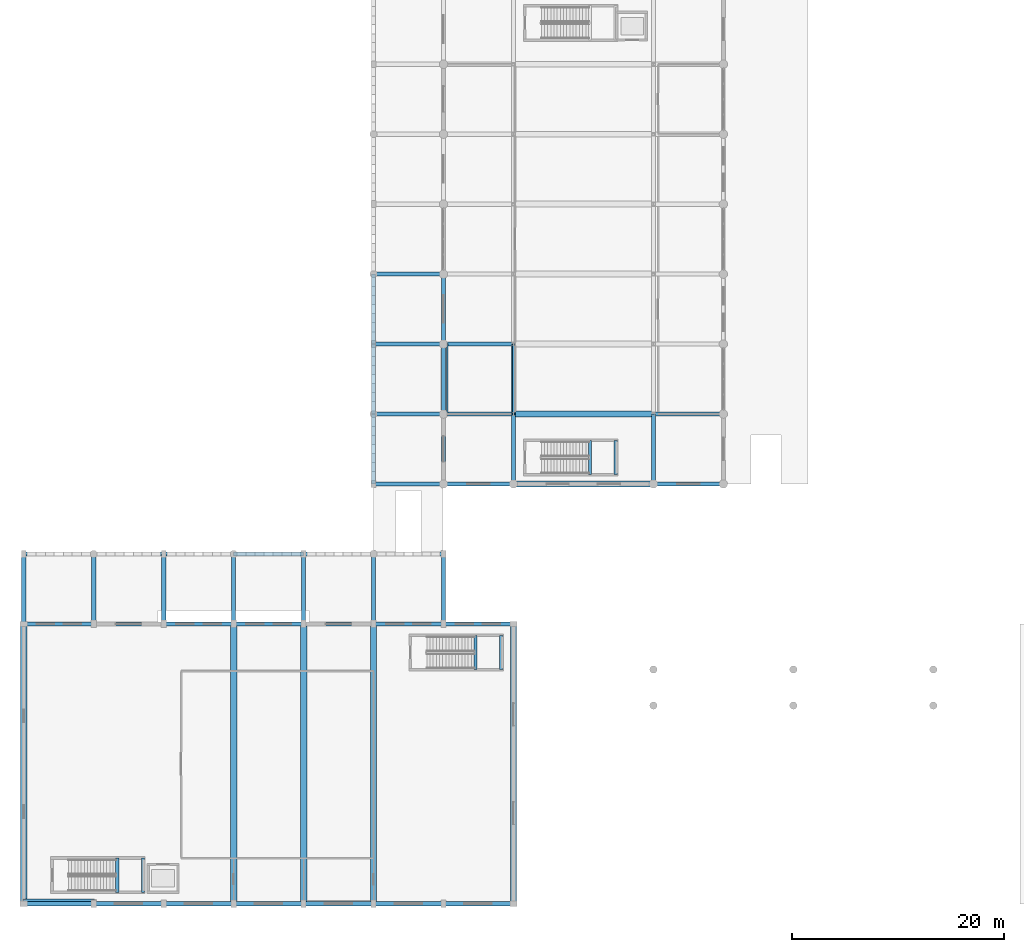
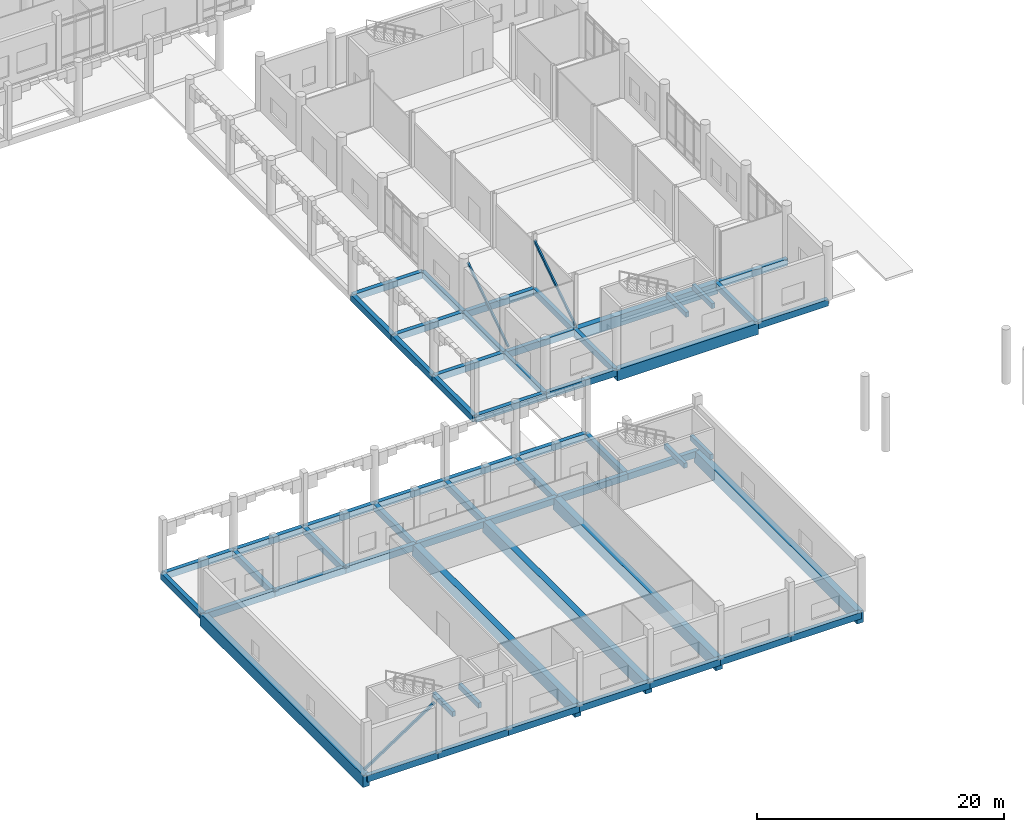
# One storey, part 7 of 72: 58 beams, 3 members.
"""IFC4 building model written with IfcOpenShell, lengths in metres."""

from ifc_helpers import new_model, si_unit, direction, frame, origin, origin_2d, place, context, subcontext, project, spatial, rectangle, hollow_rectangle, extrude, material, material_profile, profile_set, type_object, element, save


model = new_model("IFC4")

# Units and contexts
model_context = context("Model", 3, precision=1e-05, world=origin(), true_north=direction((0.0, 1.0)))
body_context = subcontext(model_context, "Body", "Model", "MODEL_VIEW")
ifc_project = project(units=[si_unit("LENGTHUNIT", "METRE"), si_unit("AREAUNIT", "SQUARE_METRE"), si_unit("VOLUMEUNIT", "CUBIC_METRE"), si_unit("PLANEANGLEUNIT", "RADIAN"), si_unit("MASSUNIT", "GRAM", prefix="KILO")], contexts=[model_context])

# Site, building, storey
site_placement = place(None, origin())
site = spatial("IfcSite", under=ifc_project, at=site_placement, CompositionType="ELEMENT")
building_placement = place(site_placement, origin())
building = spatial("IfcBuilding", under=site, at=building_placement, Name="Dornvale Research Institute", CompositionType="ELEMENT")
storey_placement = place(building_placement, origin())
storey = spatial("IfcBuildingStorey", under=building, at=storey_placement, Name="L00", CompositionType="ELEMENT", Elevation=0.0)

# Beams
ifc_material_1 = material(Name="Concrete f'c 45 MPa (C35/45)", Category="concrete")
ifc_material_profile_1 = material_profile(ifc_material_1, rectangle(XDim=0.300048828125, YDim=0.5, at=origin_2d()), Name="RC 300x500")
ifc_profile_set_1 = profile_set([ifc_material_profile_1], Name="Concrete f'c 45 MPa (C35/45)")
beam_type_1 = type_object("IfcBeamType", Name="Beam_RC300x500_Trim", PredefinedType="BEAM", material=ifc_profile_set_1)
for number, where, z_axis, x_axis, name in (
    (1, (55.85009765625, 40.47998046875, 2.25), (0.0, 1.0, 0.0), (-1.0, 0.0, 0.0), "L00 ST-7 half-landing support beam #98"),
    (2, (53.419921875, 40.47998046875, 2.25), (0.0, 1.0, 0.0), (-1.0, 0.0, 0.0), "L00 ST-7 base half-landing trimmer #99"),
    (3, (11.25, 1.080078125, 2.25), (0.0, 1.0, 0.0), (-1.0, 0.0, 0.0), "L00 ST-9 half-landing support beam #111"),
    (4, (8.820068359375, 1.080078125, 2.25), (0.0, 1.0, 0.0), (-1.0, 0.0, 0.0), "L00 ST-9 base half-landing trimmer #112"),
    (5, (45.050048828125, 22.080078125, 2.25), (0.0, 1.0, 0.0), (-1.0, 0.0, 0.0), "L00 ST-10 half-landing support beam #116"),
    (6, (42.6201171875, 22.080078125, 2.25), (0.0, 1.0, 0.0), (-1.0, 0.0, 0.0), "L00 ST-10 base half-landing trimmer #117"),
):
    element("IfcBeam", number, at=place(storey_placement, frame(where, z_axis=z_axis, x_axis=x_axis)), inside=storey, type_object=beam_type_1, Name=name, PredefinedType="BEAM", context=body_context, shape_type="SweptSolid", body=[
        extrude(rectangle(XDim=0.300048828125, YDim=0.5, at=origin_2d()), origin(), (0.0, 0.0, 1.0), 3.239990234375),
    ])
ifc_material_2 = material(Name="Concrete f'c 45 MPa (C35/45)", Category="concrete")
ifc_material_profile_2 = material_profile(ifc_material_2, rectangle(XDim=0.35009765625, YDim=0.60009765625, at=origin_2d()), Name="RC 350x600")
ifc_profile_set_2 = profile_set([ifc_material_profile_2], Name="Concrete f'c 45 MPa (C35/45)")
beam_type_2 = type_object("IfcBeamType", Name="Beam_RC350x600_Floor", PredefinedType="BEAM", material=ifc_profile_set_2)
beam_1_placement = place(storey_placement, frame((39.60009765625, 39.60009765625, -0.300048828125), z_axis=(0.0, 1.0, 0.0), x_axis=(-1.0, 0.0, 0.0)))
element("IfcBeam", 7, at=beam_1_placement, inside=storey, type_object=beam_type_2, Name="L00 transverse girder #240", PredefinedType="BEAM", context=body_context, shape_type="SweptSolid", body=[
    extrude(rectangle(XDim=0.35009765625, YDim=0.60009765625, at=origin_2d()), origin(), (0.0, 0.0, 1.0), 6.599853515625),
])
beam_2_placement = place(storey_placement, frame((39.60009765625, 46.199951171875, -0.300048828125), z_axis=(0.0, 1.0, 0.0), x_axis=(-1.0, 0.0, 0.0)))
element("IfcBeam", 8, at=beam_2_placement, inside=storey, type_object=beam_type_2, Name="L00 transverse girder #241", PredefinedType="BEAM", context=body_context, shape_type="SweptSolid", body=[
    extrude(rectangle(XDim=0.35009765625, YDim=0.60009765625, at=origin_2d()), origin(), (0.0, 0.0, 1.0), 6.60009765625),
])
for number, where, z_axis, x_axis, name in (
    (9, (39.60009765625, 52.800048828125, -0.300048828125), (0.0, 1.0, 0.0), (-1.0, 0.0, 0.0), "L00 transverse girder #242"),
    (10, (46.199951171875, 39.60009765625, -0.300048828125), (0.0, 1.0, 0.0), (-1.0, 0.0, 0.0), "L00 transverse girder #247"),
):
    element("IfcBeam", number, at=place(storey_placement, frame(where, z_axis=z_axis, x_axis=x_axis)), inside=storey, type_object=beam_type_2, Name=name, PredefinedType="BEAM", context=body_context, shape_type="SweptSolid", body=[
        extrude(rectangle(XDim=0.35009765625, YDim=0.60009765625, at=origin_2d()), origin(), (0.0, 0.0, 1.0), 6.599853515625),
    ])
beam_3_placement = place(storey_placement, frame((46.199951171875, 46.199951171875, -0.300048828125), z_axis=(0.0, 1.0, 0.0), x_axis=(-1.0, 0.0, 0.0)))
element("IfcBeam", 11, at=beam_3_placement, inside=storey, type_object=beam_type_2, Name="L00 transverse girder #248", PredefinedType="BEAM", context=body_context, shape_type="SweptSolid", body=[
    extrude(rectangle(XDim=0.35009765625, YDim=0.60009765625, at=origin_2d()), origin(), (0.0, 0.0, 1.0), 6.60009765625),
])
beam_4_placement = place(storey_placement, frame((59.39990234375, 39.60009765625, -0.300048828125), z_axis=(0.0, 1.0, 0.0), x_axis=(-1.0, 0.0, 0.0)))
element("IfcBeam", 12, at=beam_4_placement, inside=storey, type_object=beam_type_2, Name="L00 transverse girder #254", PredefinedType="BEAM", context=body_context, shape_type="SweptSolid", body=[
    extrude(rectangle(XDim=0.35009765625, YDim=0.60009765625, at=origin_2d()), origin(), (0.0, 0.0, 1.0), 6.599853515625),
])
ifc_material_3 = material(Name="Concrete f'c 45 MPa (C35/45)", Category="concrete")
ifc_material_profile_3 = material_profile(ifc_material_3, rectangle(XDim=0.39990234375, YDim=0.64990234375, at=origin_2d()), Name="RC 400x650")
ifc_profile_set_3 = profile_set([ifc_material_profile_3], Name="Concrete f'c 45 MPa (C35/45)")
beam_type_3 = type_object("IfcBeamType", Name="Beam_RC400x650_Floor", PredefinedType="BEAM", material=ifc_profile_set_3)
beam_5_placement = place(storey_placement, frame((39.60009765625, 39.60009765625, -0.324951171875), z_axis=(1.0, 0.0, 0.0), x_axis=(0.0, 1.0, 0.0)))
element("IfcBeam", 13, at=beam_5_placement, inside=storey, type_object=beam_type_3, Name="L00 primary girder #216", PredefinedType="BEAM", context=body_context, shape_type="SweptSolid", body=[
    extrude(rectangle(XDim=0.39990234375, YDim=0.64990234375, at=origin_2d()), origin(), (0.0, 0.0, 1.0), 6.599853515625),
])
beam_6_placement = place(storey_placement, frame((59.39990234375, 39.60009765625, -0.324951171875), z_axis=(1.0, 0.0, 0.0), x_axis=(0.0, 1.0, 0.0)))
element("IfcBeam", 14, at=beam_6_placement, inside=storey, type_object=beam_type_3, Name="L00 primary girder #218", PredefinedType="BEAM", context=body_context, shape_type="SweptSolid", body=[
    extrude(rectangle(XDim=0.39990234375, YDim=0.64990234375, at=origin_2d()), origin(), (0.0, 0.0, 1.0), 6.60009765625),
])
beam_7_placement = place(storey_placement, frame((39.60009765625, 46.199951171875, -0.324951171875), z_axis=(1.0, 0.0, 0.0), x_axis=(0.0, 1.0, 0.0)))
element("IfcBeam", 15, at=beam_7_placement, inside=storey, type_object=beam_type_3, Name="L00 primary girder #219", PredefinedType="BEAM", context=body_context, shape_type="SweptSolid", body=[
    extrude(rectangle(XDim=0.39990234375, YDim=0.64990234375, at=origin_2d()), origin(), (0.0, 0.0, 1.0), 6.599853515625),
])
beam_8_placement = place(storey_placement, frame((59.39990234375, 46.199951171875, -0.324951171875), z_axis=(1.0, 0.0, 0.0), x_axis=(0.0, 1.0, 0.0)))
element("IfcBeam", 16, at=beam_8_placement, inside=storey, type_object=beam_type_3, Name="L00 primary girder #221", PredefinedType="BEAM", context=body_context, shape_type="SweptSolid", body=[
    extrude(rectangle(XDim=0.39990234375, YDim=0.64990234375, at=origin_2d()), origin(), (0.0, 0.0, 1.0), 6.60009765625),
])
beam_9_placement = place(storey_placement, frame((39.60009765625, 52.800048828125, -0.324951171875), z_axis=(1.0, 0.0, 0.0), x_axis=(0.0, 1.0, 0.0)))
element("IfcBeam", 17, at=beam_9_placement, inside=storey, type_object=beam_type_3, Name="L00 primary girder #222", PredefinedType="BEAM", context=body_context, shape_type="SweptSolid", body=[
    extrude(rectangle(XDim=0.39990234375, YDim=0.64990234375, at=origin_2d()), origin(), (0.0, 0.0, 1.0), 6.599853515625),
])
beam_10_placement = place(storey_placement, frame((0.0, 0.0, -0.324951171875), z_axis=(1.0, 0.0, 0.0), x_axis=(0.0, 1.0, 0.0)))
element("IfcBeam", 18, at=beam_10_placement, inside=storey, type_object=beam_type_3, Name="L00 primary girder #268", PredefinedType="BEAM", context=body_context, shape_type="SweptSolid", body=[
    extrude(rectangle(XDim=0.39990234375, YDim=0.64990234375, at=origin_2d()), origin(), (0.0, 0.0, 1.0), 6.60009765625),
])
beam_11_placement = place(storey_placement, frame((6.60009765625, 0.0, -0.324951171875), z_axis=(1.0, 0.0, 0.0), x_axis=(0.0, 1.0, 0.0)))
element("IfcBeam", 19, at=beam_11_placement, inside=storey, type_object=beam_type_3, Name="L00 primary girder #269", PredefinedType="BEAM", context=body_context, shape_type="SweptSolid", body=[
    extrude(rectangle(XDim=0.39990234375, YDim=0.64990234375, at=origin_2d()), origin(), (0.0, 0.0, 1.0), 6.599853515625),
])
beam_12_placement = place(storey_placement, frame((13.199951171875, 0.0, -0.324951171875), z_axis=(1.0, 0.0, 0.0), x_axis=(0.0, 1.0, 0.0)))
element("IfcBeam", 20, at=beam_12_placement, inside=storey, type_object=beam_type_3, Name="L00 primary girder #270", PredefinedType="BEAM", context=body_context, shape_type="SweptSolid", body=[
    extrude(rectangle(XDim=0.39990234375, YDim=0.64990234375, at=origin_2d()), origin(), (0.0, 0.0, 1.0), 6.60009765625),
])
beam_13_placement = place(storey_placement, frame((19.800048828125, 0.0, -0.324951171875), z_axis=(1.0, 0.0, 0.0), x_axis=(0.0, 1.0, 0.0)))
element("IfcBeam", 21, at=beam_13_placement, inside=storey, type_object=beam_type_3, Name="L00 primary girder #271", PredefinedType="BEAM", context=body_context, shape_type="SweptSolid", body=[
    extrude(rectangle(XDim=0.39990234375, YDim=0.64990234375, at=origin_2d()), origin(), (0.0, 0.0, 1.0), 6.599853515625),
])
for number, where, z_axis, x_axis, name in (
    (22, (26.39990234375, 0.0, -0.324951171875), (1.0, 0.0, 0.0), (0.0, 1.0, 0.0), "L00 primary girder #272"),
    (23, (33.0, 0.0, -0.324951171875), (1.0, 0.0, 0.0), (0.0, 1.0, 0.0), "L00 primary girder #273"),
):
    element("IfcBeam", number, at=place(storey_placement, frame(where, z_axis=z_axis, x_axis=x_axis)), inside=storey, type_object=beam_type_3, Name=name, PredefinedType="BEAM", context=body_context, shape_type="SweptSolid", body=[
        extrude(rectangle(XDim=0.39990234375, YDim=0.64990234375, at=origin_2d()), origin(), (0.0, 0.0, 1.0), 6.60009765625),
    ])
beam_14_placement = place(storey_placement, frame((39.60009765625, 0.0, -0.324951171875), z_axis=(1.0, 0.0, 0.0), x_axis=(0.0, 1.0, 0.0)))
element("IfcBeam", 24, at=beam_14_placement, inside=storey, type_object=beam_type_3, Name="L00 primary girder #274", PredefinedType="BEAM", context=body_context, shape_type="SweptSolid", body=[
    extrude(rectangle(XDim=0.39990234375, YDim=0.64990234375, at=origin_2d()), origin(), (0.0, 0.0, 1.0), 6.599853515625),
])
beam_15_placement = place(storey_placement, frame((0.0, 26.39990234375, -0.324951171875), z_axis=(1.0, 0.0, 0.0), x_axis=(0.0, 1.0, 0.0)))
element("IfcBeam", 25, at=beam_15_placement, inside=storey, type_object=beam_type_3, Name="L00 primary girder #275", PredefinedType="BEAM", context=body_context, shape_type="SweptSolid", body=[
    extrude(rectangle(XDim=0.39990234375, YDim=0.64990234375, at=origin_2d()), origin(), (0.0, 0.0, 1.0), 6.60009765625),
])
beam_16_placement = place(storey_placement, frame((6.60009765625, 26.39990234375, -0.324951171875), z_axis=(1.0, 0.0, 0.0), x_axis=(0.0, 1.0, 0.0)))
element("IfcBeam", 26, at=beam_16_placement, inside=storey, type_object=beam_type_3, Name="L00 primary girder #276", PredefinedType="BEAM", context=body_context, shape_type="SweptSolid", body=[
    extrude(rectangle(XDim=0.39990234375, YDim=0.64990234375, at=origin_2d()), origin(), (0.0, 0.0, 1.0), 6.599853515625),
])
beam_17_placement = place(storey_placement, frame((13.199951171875, 26.39990234375, -0.324951171875), z_axis=(1.0, 0.0, 0.0), x_axis=(0.0, 1.0, 0.0)))
element("IfcBeam", 27, at=beam_17_placement, inside=storey, type_object=beam_type_3, Name="L00 primary girder #277", PredefinedType="BEAM", context=body_context, shape_type="SweptSolid", body=[
    extrude(rectangle(XDim=0.39990234375, YDim=0.64990234375, at=origin_2d()), origin(), (0.0, 0.0, 1.0), 6.60009765625),
])
beam_18_placement = place(storey_placement, frame((19.800048828125, 26.39990234375, -0.324951171875), z_axis=(1.0, 0.0, 0.0), x_axis=(0.0, 1.0, 0.0)))
element("IfcBeam", 28, at=beam_18_placement, inside=storey, type_object=beam_type_3, Name="L00 primary girder #278", PredefinedType="BEAM", context=body_context, shape_type="SweptSolid", body=[
    extrude(rectangle(XDim=0.39990234375, YDim=0.64990234375, at=origin_2d()), origin(), (0.0, 0.0, 1.0), 6.599853515625),
])
for number, where, z_axis, x_axis, name in (
    (29, (26.39990234375, 26.39990234375, -0.324951171875), (1.0, 0.0, 0.0), (0.0, 1.0, 0.0), "L00 primary girder #279"),
    (30, (33.0, 26.39990234375, -0.324951171875), (1.0, 0.0, 0.0), (0.0, 1.0, 0.0), "L00 primary girder #280"),
):
    element("IfcBeam", number, at=place(storey_placement, frame(where, z_axis=z_axis, x_axis=x_axis)), inside=storey, type_object=beam_type_3, Name=name, PredefinedType="BEAM", context=body_context, shape_type="SweptSolid", body=[
        extrude(rectangle(XDim=0.39990234375, YDim=0.64990234375, at=origin_2d()), origin(), (0.0, 0.0, 1.0), 6.60009765625),
    ])
beam_19_placement = place(storey_placement, frame((39.60009765625, 26.39990234375, -0.324951171875), z_axis=(1.0, 0.0, 0.0), x_axis=(0.0, 1.0, 0.0)))
element("IfcBeam", 31, at=beam_19_placement, inside=storey, type_object=beam_type_3, Name="L00 primary girder #281", PredefinedType="BEAM", context=body_context, shape_type="SweptSolid", body=[
    extrude(rectangle(XDim=0.39990234375, YDim=0.64990234375, at=origin_2d()), origin(), (0.0, 0.0, 1.0), 6.599853515625),
])
beam_20_placement = place(storey_placement, frame((0.0, 33.0, -0.324951171875), z_axis=(1.0, 0.0, 0.0), x_axis=(0.0, 1.0, 0.0)))
element("IfcBeam", 32, at=beam_20_placement, inside=storey, type_object=beam_type_3, Name="L00 arcade grade beam #1814", PredefinedType="BEAM", context=body_context, shape_type="SweptSolid", body=[
    extrude(rectangle(XDim=0.39990234375, YDim=0.64990234375, at=origin_2d()), origin(), (0.0, 0.0, 1.0), 6.60009765625),
])
beam_21_placement = place(storey_placement, frame((6.60009765625, 33.0, -0.324951171875), z_axis=(1.0, 0.0, 0.0), x_axis=(0.0, 1.0, 0.0)))
element("IfcBeam", 33, at=beam_21_placement, inside=storey, type_object=beam_type_3, Name="L00 arcade grade beam #1816", PredefinedType="BEAM", context=body_context, shape_type="SweptSolid", body=[
    extrude(rectangle(XDim=0.39990234375, YDim=0.64990234375, at=origin_2d()), origin(), (0.0, 0.0, 1.0), 6.599853515625),
])
beam_22_placement = place(storey_placement, frame((13.199951171875, 33.0, -0.324951171875), z_axis=(1.0, 0.0, 0.0), x_axis=(0.0, 1.0, 0.0)))
element("IfcBeam", 34, at=beam_22_placement, inside=storey, type_object=beam_type_3, Name="L00 arcade grade beam #1818", PredefinedType="BEAM", context=body_context, shape_type="SweptSolid", body=[
    extrude(rectangle(XDim=0.39990234375, YDim=0.64990234375, at=origin_2d()), origin(), (0.0, 0.0, 1.0), 6.60009765625),
])
beam_23_placement = place(storey_placement, frame((19.800048828125, 33.0, -0.324951171875), z_axis=(1.0, 0.0, 0.0), x_axis=(0.0, 1.0, 0.0)))
element("IfcBeam", 35, at=beam_23_placement, inside=storey, type_object=beam_type_3, Name="L00 arcade grade beam #1820", PredefinedType="BEAM", context=body_context, shape_type="SweptSolid", body=[
    extrude(rectangle(XDim=0.39990234375, YDim=0.64990234375, at=origin_2d()), origin(), (0.0, 0.0, 1.0), 6.599853515625),
])
for number, where, z_axis, x_axis, name in (
    (36, (26.39990234375, 33.0, -0.324951171875), (1.0, 0.0, 0.0), (0.0, 1.0, 0.0), "L00 arcade grade beam #1822"),
    (37, (33.0, 33.0, -0.324951171875), (1.0, 0.0, 0.0), (0.0, 1.0, 0.0), "L00 arcade grade beam #1824"),
    (38, (0.0, 26.39990234375, -0.324951171875), (0.0, 1.0, 0.0), (-1.0, 0.0, 0.0), "L00 arcade tie beam #1826"),
    (39, (6.60009765625, 26.39990234375, -0.324951171875), (0.0, 1.0, 0.0), (-1.0, 0.0, 0.0), "L00 arcade tie beam #1828"),
    (40, (13.199951171875, 26.39990234375, -0.324951171875), (0.0, 1.0, 0.0), (-1.0, 0.0, 0.0), "L00 arcade tie beam #1830"),
    (41, (19.800048828125, 26.39990234375, -0.324951171875), (0.0, 1.0, 0.0), (-1.0, 0.0, 0.0), "L00 arcade tie beam #1832"),
    (42, (26.39990234375, 26.39990234375, -0.324951171875), (0.0, 1.0, 0.0), (-1.0, 0.0, 0.0), "L00 arcade tie beam #1834"),
    (43, (33.0, 26.39990234375, -0.324951171875), (0.0, 1.0, 0.0), (-1.0, 0.0, 0.0), "L00 arcade tie beam #1836"),
    (44, (39.60009765625, 26.39990234375, -0.324951171875), (0.0, 1.0, 0.0), (-1.0, 0.0, 0.0), "L00 arcade tie beam #1838"),
):
    element("IfcBeam", number, at=place(storey_placement, frame(where, z_axis=z_axis, x_axis=x_axis)), inside=storey, type_object=beam_type_3, Name=name, PredefinedType="BEAM", context=body_context, shape_type="SweptSolid", body=[
        extrude(rectangle(XDim=0.39990234375, YDim=0.64990234375, at=origin_2d()), origin(), (0.0, 0.0, 1.0), 6.60009765625),
    ])
beam_24_placement = place(storey_placement, frame((33.0, 39.60009765625, -0.324951171875), z_axis=(0.0, 1.0, 0.0), x_axis=(-1.0, 0.0, 0.0)))
element("IfcBeam", 45, at=beam_24_placement, inside=storey, type_object=beam_type_3, Name="L00 arcade grade beam #1866", PredefinedType="BEAM", context=body_context, shape_type="SweptSolid", body=[
    extrude(rectangle(XDim=0.39990234375, YDim=0.64990234375, at=origin_2d()), origin(), (0.0, 0.0, 1.0), 6.599853515625),
])
beam_25_placement = place(storey_placement, frame((33.0, 46.199951171875, -0.324951171875), z_axis=(0.0, 1.0, 0.0), x_axis=(-1.0, 0.0, 0.0)))
element("IfcBeam", 46, at=beam_25_placement, inside=storey, type_object=beam_type_3, Name="L00 arcade grade beam #1868", PredefinedType="BEAM", context=body_context, shape_type="SweptSolid", body=[
    extrude(rectangle(XDim=0.39990234375, YDim=0.64990234375, at=origin_2d()), origin(), (0.0, 0.0, 1.0), 6.60009765625),
])
beam_26_placement = place(storey_placement, frame((33.0, 52.800048828125, -0.324951171875), z_axis=(0.0, 1.0, 0.0), x_axis=(-1.0, 0.0, 0.0)))
element("IfcBeam", 47, at=beam_26_placement, inside=storey, type_object=beam_type_3, Name="L00 arcade grade beam #1870", PredefinedType="BEAM", context=body_context, shape_type="SweptSolid", body=[
    extrude(rectangle(XDim=0.39990234375, YDim=0.64990234375, at=origin_2d()), origin(), (0.0, 0.0, 1.0), 6.599853515625),
])
for number, where, z_axis, x_axis, name in (
    (48, (33.0, 39.60009765625, -0.324951171875), (1.0, 0.0, 0.0), (0.0, 1.0, 0.0), "L00 arcade tie beam #1880"),
    (49, (33.0, 46.199951171875, -0.324951171875), (1.0, 0.0, 0.0), (0.0, 1.0, 0.0), "L00 arcade tie beam #1882"),
    (50, (33.0, 52.800048828125, -0.324951171875), (1.0, 0.0, 0.0), (0.0, 1.0, 0.0), "L00 arcade tie beam #1884"),
    (51, (33.0, 59.39990234375, -0.324951171875), (1.0, 0.0, 0.0), (0.0, 1.0, 0.0), "L00 arcade tie beam #1886"),
):
    element("IfcBeam", number, at=place(storey_placement, frame(where, z_axis=z_axis, x_axis=x_axis)), inside=storey, type_object=beam_type_3, Name=name, PredefinedType="BEAM", context=body_context, shape_type="SweptSolid", body=[
        extrude(rectangle(XDim=0.39990234375, YDim=0.64990234375, at=origin_2d()), origin(), (0.0, 0.0, 1.0), 6.60009765625),
    ])
ifc_material_4 = material(Name="Concrete f'c 45 MPa (C35/45)", Category="concrete")
ifc_material_profile_4 = material_profile(ifc_material_4, rectangle(XDim=0.550048828125, YDim=1.10009765625, at=origin_2d()), Name="RC 550x1100")
ifc_profile_set_4 = profile_set([ifc_material_profile_4], Name="Concrete f'c 45 MPa (C35/45)")
beam_type_4 = type_object("IfcBeamType", Name="Beam_RC550x1100_Girder", PredefinedType="BEAM", material=ifc_profile_set_4)
for number, where, z_axis, x_axis, name in (
    (52, (46.199951171875, 39.60009765625, -0.550048828125), (1.0, 0.0, 0.0), (0.0, 1.0, 0.0), "L00 primary girder #217"),
    (53, (46.199951171875, 46.199951171875, -0.550048828125), (1.0, 0.0, 0.0), (0.0, 1.0, 0.0), "L00 primary girder #220"),
):
    element("IfcBeam", number, at=place(storey_placement, frame(where, z_axis=z_axis, x_axis=x_axis)), inside=storey, type_object=beam_type_4, Name=name, PredefinedType="BEAM", context=body_context, shape_type="SweptSolid", body=[
        extrude(rectangle(XDim=0.550048828125, YDim=1.10009765625, at=origin_2d()), origin(), (0.0, 0.0, 1.0), 13.199951171875),
    ])

# Members
ifc_material_5 = material(Name="Steel ASTM A500 Grade C", Category="steel")
ifc_material_profile_5 = material_profile(ifc_material_5, hollow_rectangle(XDim=0.202880859375, YDim=0.202880859375, WallThickness=0.0087890625, at=origin_2d()), Name="HSS203X203X9.5")
ifc_profile_set_5 = profile_set([ifc_material_profile_5], Name="Steel ASTM A500 Grade C")
member_type_1 = type_object("IfcMemberType", Name="Brace_HSS203X203_Int", PredefinedType="BRACE", material=ifc_profile_set_5)
member_placement = place(storey_placement, frame((0.0, 0.340087890625, 0.300048828125), z_axis=(0.834970460911, 0.0, 0.550294765926), x_axis=(0.0, 1.0, 0.0)))
element("IfcMember", 54, at=member_placement, inside=storey, type_object=member_type_1, Name="L00 seismic diagonal brace #60", PredefinedType="BRACE", context=body_context, shape_type="SweptSolid", body=[
    extrude(hollow_rectangle(XDim=0.202880859375, YDim=0.202880859375, WallThickness=0.0087890625, at=origin_2d()), origin(), (0.0, 0.0, 1.0), 7.904541015625),
])
ifc_material_6 = material(Name="Steel ASTM A500 Grade C", Category="steel")
ifc_material_profile_6 = material_profile(ifc_material_6, hollow_rectangle(XDim=0.152099609375, YDim=0.25390625, WallThickness=0.0087890625, at=origin_2d()), Name="HSS254X152X9.5")
ifc_profile_set_6 = profile_set([ifc_material_profile_6], Name="Steel ASTM A500 Grade C")
member_type_2 = type_object("IfcMemberType", Name="Brace_HSS254X152_Lateral", PredefinedType="BRACE", material=ifc_profile_set_6)
for number, where, z_axis, x_axis, name in (
    (55, (39.9599609375, 46.199951171875, 0.300048828125), (0.0, 0.834970460911, 0.550294765926), (-1.0, 0.0, 0.0), "L00 seismic diagonal brace #55"),
    (56, (46.199951171875, 46.199951171875, 0.300048828125), (0.0, 0.834970460911, 0.550294765926), (-1.0, 0.0, 0.0), "L00 seismic diagonal brace #59"),
):
    element("IfcMember", number, at=place(storey_placement, frame(where, z_axis=z_axis, x_axis=x_axis)), inside=storey, type_object=member_type_2, Name=name, PredefinedType="BRACE", context=body_context, shape_type="SweptSolid", body=[
        extrude(hollow_rectangle(XDim=0.152099609375, YDim=0.25390625, WallThickness=0.0087890625, at=origin_2d()), origin(), (0.0, 0.0, 1.0), 7.904541015625),
    ])

# Beams
ifc_material_7 = material(Name="Concrete f'c 50 MPa (C40/50)", Category="concrete")
ifc_material_profile_7 = material_profile(ifc_material_7, rectangle(XDim=0.60009765625, YDim=1.199951171875, at=origin_2d()), Name="RC 600x1200")
ifc_profile_set_7 = profile_set([ifc_material_profile_7], Name="Concrete f'c 50 MPa (C40/50)")
beam_type_5 = type_object("IfcBeamType", Name="TBeam_RC600x1200_Tie", PredefinedType="T_BEAM", material=ifc_profile_set_7)
for number, where, z_axis, x_axis, name in (
    (57, (0.0, 0.0, -0.60009765625), (0.0, 1.0, 0.0), (-1.0, 0.0, 0.0), "L00 transverse girder #282"),
    (58, (19.800048828125, 0.0, -0.60009765625), (0.0, 1.0, 0.0), (-1.0, 0.0, 0.0), "L00 transverse girder #283"),
    (59, (26.39990234375, 0.0, -0.60009765625), (0.0, 1.0, 0.0), (-1.0, 0.0, 0.0), "L00 transverse girder #284"),
    (60, (33.0, 0.0, -0.60009765625), (0.0, 1.0, 0.0), (-1.0, 0.0, 0.0), "L00 transverse girder #285"),
    (61, (46.199951171875, 0.0, -0.60009765625), (0.0, 1.0, 0.0), (-1.0, 0.0, 0.0), "L00 transverse girder #286"),
):
    element("IfcBeam", number, at=place(storey_placement, frame(where, z_axis=z_axis, x_axis=x_axis)), inside=storey, type_object=beam_type_5, Name=name, PredefinedType="T_BEAM", context=body_context, shape_type="SweptSolid", body=[
        extrude(rectangle(XDim=0.60009765625, YDim=1.199951171875, at=origin_2d()), origin(), (0.0, 0.0, 1.0), 26.39990234375),
    ])

save(model, "model.ifc")
